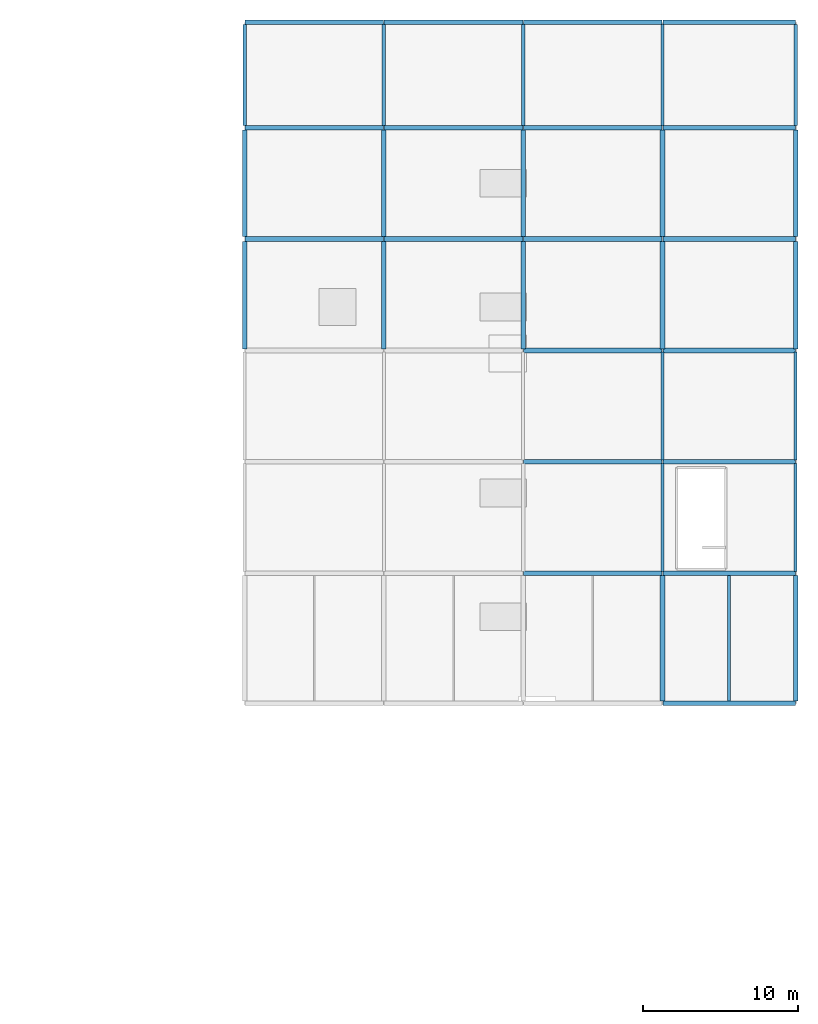
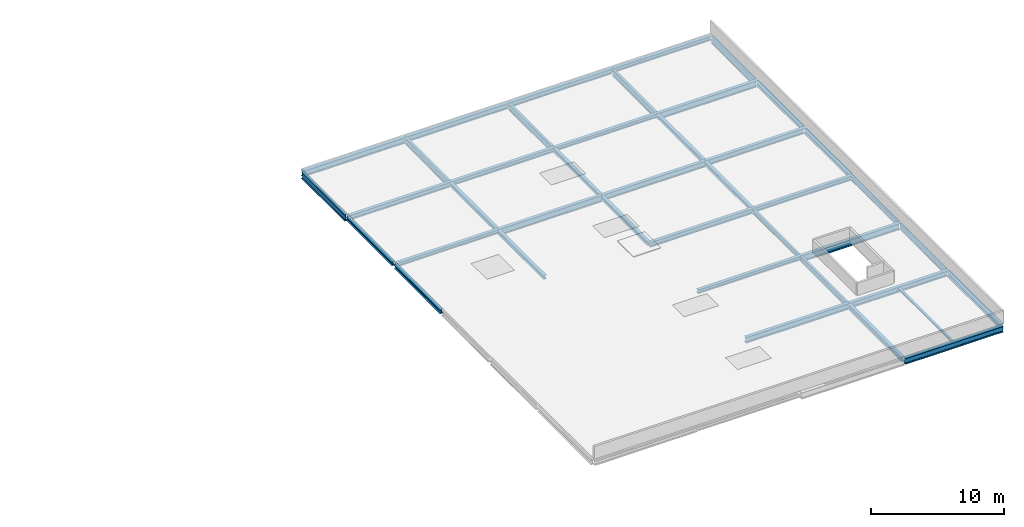
# One storey, part 6 of 17: 41 beams.
"""IFC4 building model written with IfcOpenShell, lengths in metres."""

from ifc_helpers import new_model, si_unit, direction, frame, origin, origin_2d, place, context, subcontext, project, spatial, i_section, extrude, material, material_profile, profile_set, type_object, element, save


model = new_model("IFC4")

# Units and contexts
model_context = context("Model", 3, precision=1e-05, world=origin(), true_north=direction((0.0, 1.0)))
body_context = subcontext(model_context, "Body", "Model", "MODEL_VIEW")
ifc_project = project(units=[si_unit("LENGTHUNIT", "METRE"), si_unit("AREAUNIT", "SQUARE_METRE"), si_unit("VOLUMEUNIT", "CUBIC_METRE"), si_unit("PLANEANGLEUNIT", "RADIAN"), si_unit("MASSUNIT", "GRAM", prefix="KILO")], contexts=[model_context])

# Site, building, storey
site_placement = place(None, origin())
site = spatial("IfcSite", under=ifc_project, at=site_placement, CompositionType="ELEMENT")
building_placement = place(site_placement, origin())
building = spatial("IfcBuilding", under=site, at=building_placement, Name="Vinh Khe Railworks Police Headquarters", CompositionType="ELEMENT")
storey_placement = place(building_placement, frame((0.0, 0.0, 24.89990234375)))
storey = spatial("IfcBuildingStorey", under=building, at=storey_placement, Name="L06", CompositionType="ELEMENT", Elevation=24.89990234375)

# Beams
ifc_material = material(Name="Steel S355JR", Category="steel")
ifc_material_profile_1 = material_profile(ifc_material, i_section(OverallWidth=0.179931640625, OverallDepth=0.1708984375, WebThickness=0.006103515625, FlangeThickness=0.009521484375, FilletRadius=0.014892578125, at=origin_2d()), Name="HEA 180")
ifc_profile_set_1 = profile_set([ifc_material_profile_1], Name="Steel S355JR")
beam_type_1 = type_object("IfcBeamType", Name="Secondary Joist HEA 180", PredefinedType="JOIST", material=ifc_profile_set_1)
beam_1_placement = place(storey_placement, frame((109.300048828125, 122.550048828125, -0.285400390625), z_axis=(0.0, 1.0, 0.0), x_axis=(-1.0, 0.0, 0.0)))
element("IfcBeam", 1, at=beam_1_placement, inside=storey, type_object=beam_type_1, Name="Secondary Joist JST-L06-SJ-10-0048", PredefinedType="JOIST", context=body_context, shape_type="SweptSolid", body=[
    extrude(i_section(OverallWidth=0.179931640625, OverallDepth=0.1708984375, WebThickness=0.006103515625, FlangeThickness=0.009521484375, FilletRadius=0.014892578125, at=origin_2d()), origin(), (0.0, 0.0, 1.0), 8.099853515625),
])
ifc_material_profile_2 = material_profile(ifc_material, i_section(OverallWidth=0.300048828125, OverallDepth=0.330078125, WebThickness=0.009521484375, FlangeThickness=0.0166015625, FilletRadius=0.027099609375, at=origin_2d()), Name="HEA 340")
ifc_profile_set_2 = profile_set([ifc_material_profile_2], Name="Steel S355JR")
beam_type_2 = type_object("IfcBeamType", Name="Steel Girder HEA 340", PredefinedType="BEAM", material=ifc_profile_set_2)
for number, where, z_axis, x_axis, name in (
    (2, (78.0, 152.554931640625, -0.364990234375), (0.0, 1.0, 0.0), (-1.0, 0.0, 0.0), "Girder BM-L06-NS-SB-16-1814"),
    (3, (87.0, 152.554931640625, -0.364990234375), (0.0, 1.0, 0.0), (-1.0, 0.0, 0.0), "Girder BM-L06-NS-SB-16-1820"),
    (4, (96.0, 152.554931640625, -0.364990234375), (0.0, 1.0, 0.0), (-1.0, 0.0, 0.0), "Girder BM-L06-NS-SB-16-1826"),
    (5, (105.0, 152.554931640625, -0.364990234375), (0.0, 1.0, 0.0), (-1.0, 0.0, 0.0), "Girder BM-L06-NS-SB-16-1832"),
    (6, (113.60009765625, 152.554931640625, -0.364990234375), (0.0, 1.0, 0.0), (-1.0, 0.0, 0.0), "Girder BM-L06-NS-SB-16-1838"),
):
    element("IfcBeam", number, at=place(storey_placement, frame(where, z_axis=z_axis, x_axis=x_axis)), inside=storey, type_object=beam_type_2, Name=name, PredefinedType="BEAM", context=body_context, shape_type="SweptSolid", body=[
        extrude(i_section(OverallWidth=0.300048828125, OverallDepth=0.330078125, WebThickness=0.009521484375, FlangeThickness=0.0166015625, FilletRadius=0.027099609375, at=origin_2d()), origin(), (0.0, 0.0, 1.0), 6.900146484375),
    ])
ifc_material_profile_3 = material_profile(ifc_material, i_section(OverallWidth=0.300048828125, OverallDepth=0.35009765625, WebThickness=0.010009765625, FlangeThickness=0.017578125, FilletRadius=0.027099609375, at=origin_2d()), Name="HEA 360")
ifc_profile_set_3 = profile_set([ifc_material_profile_3], Name="Steel S355JR")
beam_type_3 = type_object("IfcBeamType", Name="Steel Girder HEA 360", PredefinedType="BEAM", material=ifc_profile_set_3)
for number, where, z_axis, x_axis, name in (
    (7, (96.02001953125, 138.0, -0.375), (1.0, 0.0, 0.0), (0.0, 1.0, 0.0), "Girder BM-L06-EW-SB-15-1728"),
    (8, (78.02001953125, 152.39990234375, -0.375), (1.0, 0.0, 0.0), (0.0, 1.0, 0.0), "Girder BM-L06-EW-SB-15-1734"),
    (9, (96.02001953125, 159.60009765625, -0.375), (1.0, 0.0, 0.0), (0.0, 1.0, 0.0), "Girder BM-L06-EW-SB-15-1740"),
):
    element("IfcBeam", number, at=place(storey_placement, frame(where, z_axis=z_axis, x_axis=x_axis)), inside=storey, type_object=beam_type_3, Name=name, PredefinedType="BEAM", context=body_context, shape_type="SweptSolid", body=[
        extrude(i_section(OverallWidth=0.300048828125, OverallDepth=0.35009765625, WebThickness=0.010009765625, FlangeThickness=0.017578125, FilletRadius=0.027099609375, at=origin_2d()), origin(), (0.0, 0.0, 1.0), 8.9599609375),
    ])
for number, where, z_axis, x_axis, name in (
    (10, (78.0, 145.294921875, -0.375), (0.0, 1.0, 0.0), (-1.0, 0.0, 0.0), "Girder BM-L06-NS-SB-15-1813"),
    (11, (87.0, 145.294921875, -0.375), (0.0, 1.0, 0.0), (-1.0, 0.0, 0.0), "Girder BM-L06-NS-SB-15-1819"),
    (12, (96.0, 145.294921875, -0.375), (0.0, 1.0, 0.0), (-1.0, 0.0, 0.0), "Girder BM-L06-NS-SB-15-1825"),
    (13, (105.0, 145.294921875, -0.375), (0.0, 1.0, 0.0), (-1.0, 0.0, 0.0), "Girder BM-L06-NS-SB-15-1831"),
    (14, (113.60009765625, 145.294921875, -0.375), (0.0, 1.0, 0.0), (-1.0, 0.0, 0.0), "Girder BM-L06-NS-SB-15-1837"),
):
    element("IfcBeam", number, at=place(storey_placement, frame(where, z_axis=z_axis, x_axis=x_axis)), inside=storey, type_object=beam_type_3, Name=name, PredefinedType="BEAM", context=body_context, shape_type="SweptSolid", body=[
        extrude(i_section(OverallWidth=0.300048828125, OverallDepth=0.35009765625, WebThickness=0.010009765625, FlangeThickness=0.017578125, FilletRadius=0.027099609375, at=origin_2d()), origin(), (0.0, 0.0, 1.0), 6.9501953125),
    ])
ifc_material_profile_4 = material_profile(ifc_material, i_section(OverallWidth=0.300048828125, OverallDepth=0.389892578125, WebThickness=0.010986328125, FlangeThickness=0.01904296875, FilletRadius=0.027099609375, at=origin_2d()), Name="HEA 400")
ifc_profile_set_4 = profile_set([ifc_material_profile_4], Name="Steel S355JR")
beam_type_4 = type_object("IfcBeamType", Name="Steel Girder HEA 400", PredefinedType="BEAM", material=ifc_profile_set_4)
beam_2_placement = place(storey_placement, frame((105.02001953125, 145.199951171875, -0.39501953125), z_axis=(1.0, 0.0, 0.0), x_axis=(0.0, 1.0, 0.0)))
element("IfcBeam", 15, at=beam_2_placement, inside=storey, type_object=beam_type_4, Name="Girder BM-L06-EW-SB-14-1733", PredefinedType="BEAM", context=body_context, shape_type="SweptSolid", body=[
    extrude(i_section(OverallWidth=0.300048828125, OverallDepth=0.389892578125, WebThickness=0.010986328125, FlangeThickness=0.01904296875, FilletRadius=0.027099609375, at=origin_2d()), origin(), (0.0, 0.0, 1.0), 8.56005859375),
])
beam_3_placement = place(storey_placement, frame((87.02001953125, 159.60009765625, -0.39501953125), z_axis=(1.0, 0.0, 0.0), x_axis=(0.0, 1.0, 0.0)))
element("IfcBeam", 16, at=beam_3_placement, inside=storey, type_object=beam_type_4, Name="Girder BM-L06-EW-SB-14-1739", PredefinedType="BEAM", context=body_context, shape_type="SweptSolid", body=[
    extrude(i_section(OverallWidth=0.300048828125, OverallDepth=0.389892578125, WebThickness=0.010986328125, FlangeThickness=0.01904296875, FilletRadius=0.027099609375, at=origin_2d()), origin(), (0.0, 0.0, 1.0), 8.9599609375),
])
beam_4_placement = place(storey_placement, frame((105.02001953125, 166.39990234375, -0.39501953125), z_axis=(1.0, 0.0, 0.0), x_axis=(0.0, 1.0, 0.0)))
element("IfcBeam", 17, at=beam_4_placement, inside=storey, type_object=beam_type_4, Name="Girder BM-L06-EW-SB-14-1745", PredefinedType="BEAM", context=body_context, shape_type="SweptSolid", body=[
    extrude(i_section(OverallWidth=0.300048828125, OverallDepth=0.389892578125, WebThickness=0.010986328125, FlangeThickness=0.01904296875, FilletRadius=0.027099609375, at=origin_2d()), origin(), (0.0, 0.0, 1.0), 8.56005859375),
])
ifc_material_profile_5 = material_profile(ifc_material, i_section(OverallWidth=0.300048828125, OverallDepth=0.43994140625, WebThickness=0.011474609375, FlangeThickness=0.02099609375, FilletRadius=0.027099609375, at=origin_2d()), Name="HEA 450")
ifc_profile_set_5 = profile_set([ifc_material_profile_5], Name="Steel S355JR")
beam_type_5 = type_object("IfcBeamType", Name="Steel Girder HEA 450", PredefinedType="BEAM", material=ifc_profile_set_5)
for number, where, z_axis, x_axis, name in (
    (18, (96.02001953125, 145.199951171875, -0.419921875), (1.0, 0.0, 0.0), (0.0, 1.0, 0.0), "Girder BM-L06-EW-SB-13-1732"),
    (19, (78.02001953125, 159.60009765625, -0.419921875), (1.0, 0.0, 0.0), (0.0, 1.0, 0.0), "Girder BM-L06-EW-SB-13-1738"),
    (20, (96.02001953125, 166.39990234375, -0.419921875), (1.0, 0.0, 0.0), (0.0, 1.0, 0.0), "Girder BM-L06-EW-SB-13-1744"),
):
    element("IfcBeam", number, at=place(storey_placement, frame(where, z_axis=z_axis, x_axis=x_axis)), inside=storey, type_object=beam_type_5, Name=name, PredefinedType="BEAM", context=body_context, shape_type="SweptSolid", body=[
        extrude(i_section(OverallWidth=0.300048828125, OverallDepth=0.43994140625, WebThickness=0.011474609375, FlangeThickness=0.02099609375, FilletRadius=0.027099609375, at=origin_2d()), origin(), (0.0, 0.0, 1.0), 8.9599609375),
    ])
for number, where, z_axis, x_axis, name in (
    (21, (105.0, 122.544921875, -0.419921875), (0.0, 1.0, 0.0), (-1.0, 0.0, 0.0), "Girder BM-L06-NS-SB-13-1828"),
    (22, (113.60009765625, 122.544921875, -0.419921875), (0.0, 1.0, 0.0), (-1.0, 0.0, 0.0), "Girder BM-L06-NS-SB-13-1834"),
):
    element("IfcBeam", number, at=place(storey_placement, frame(where, z_axis=z_axis, x_axis=x_axis)), inside=storey, type_object=beam_type_5, Name=name, PredefinedType="BEAM", context=body_context, shape_type="SweptSolid", body=[
        extrude(i_section(OverallWidth=0.300048828125, OverallDepth=0.43994140625, WebThickness=0.011474609375, FlangeThickness=0.02099609375, FilletRadius=0.027099609375, at=origin_2d()), origin(), (0.0, 0.0, 1.0), 8.130126953125),
    ])
ifc_material_profile_6 = material_profile(ifc_material, i_section(OverallWidth=0.300048828125, OverallDepth=0.489990234375, WebThickness=0.011962890625, FlangeThickness=0.02294921875, FilletRadius=0.027099609375, at=origin_2d()), Name="HEA 500")
ifc_profile_set_6 = profile_set([ifc_material_profile_6], Name="Steel S355JR")
beam_type_6 = type_object("IfcBeamType", Name="Steel Girder HEA 500", PredefinedType="BEAM", material=ifc_profile_set_6)
for number, where, z_axis, x_axis, name in (
    (23, (105.02001953125, 130.800048828125, -0.44482421875), (1.0, 0.0, 0.0), (0.0, 1.0, 0.0), "Girder BM-L06-EW-SB-12-1725"),
    (24, (105.02001953125, 152.39990234375, -0.44482421875), (1.0, 0.0, 0.0), (0.0, 1.0, 0.0), "Girder BM-L06-EW-SB-12-1737"),
):
    element("IfcBeam", number, at=place(storey_placement, frame(where, z_axis=z_axis, x_axis=x_axis)), inside=storey, type_object=beam_type_6, Name=name, PredefinedType="BEAM", context=body_context, shape_type="SweptSolid", body=[
        extrude(i_section(OverallWidth=0.300048828125, OverallDepth=0.489990234375, WebThickness=0.011962890625, FlangeThickness=0.02294921875, FilletRadius=0.027099609375, at=origin_2d()), origin(), (0.0, 0.0, 1.0), 8.56005859375),
    ])
beam_5_placement = place(storey_placement, frame((87.02001953125, 166.39990234375, -0.44482421875), z_axis=(1.0, 0.0, 0.0), x_axis=(0.0, 1.0, 0.0)))
element("IfcBeam", 25, at=beam_5_placement, inside=storey, type_object=beam_type_6, Name="Girder BM-L06-EW-SB-12-1743", PredefinedType="BEAM", context=body_context, shape_type="SweptSolid", body=[
    extrude(i_section(OverallWidth=0.300048828125, OverallDepth=0.489990234375, WebThickness=0.011962890625, FlangeThickness=0.02294921875, FilletRadius=0.027099609375, at=origin_2d()), origin(), (0.0, 0.0, 1.0), 8.9599609375),
])
ifc_material_profile_7 = material_profile(ifc_material, i_section(OverallWidth=0.300048828125, OverallDepth=0.5400390625, WebThickness=0.012451171875, FlangeThickness=0.02392578125, FilletRadius=0.027099609375, at=origin_2d()), Name="HEA 550")
ifc_profile_set_7 = profile_set([ifc_material_profile_7], Name="Steel S355JR")
beam_type_7 = type_object("IfcBeamType", Name="Steel Girder HEA 550", PredefinedType="BEAM", material=ifc_profile_set_7)
beam_6_placement = place(storey_placement, frame((105.02001953125, 122.39990234375, -0.469970703125), z_axis=(1.0, 0.0, 0.0), x_axis=(0.0, 1.0, 0.0)))
element("IfcBeam", 26, at=beam_6_placement, inside=storey, type_object=beam_type_7, Name="Girder BM-L06-EW-SB-11-1718", PredefinedType="BEAM", context=body_context, shape_type="SweptSolid", body=[
    extrude(i_section(OverallWidth=0.300048828125, OverallDepth=0.5400390625, WebThickness=0.012451171875, FlangeThickness=0.02392578125, FilletRadius=0.027099609375, at=origin_2d()), origin(), (0.0, 0.0, 1.0), 8.56005859375),
])
for number, where, z_axis, x_axis, name in (
    (27, (96.02001953125, 130.800048828125, -0.469970703125), (1.0, 0.0, 0.0), (0.0, 1.0, 0.0), "Girder BM-L06-EW-SB-11-1724"),
    (28, (96.02001953125, 152.39990234375, -0.469970703125), (1.0, 0.0, 0.0), (0.0, 1.0, 0.0), "Girder BM-L06-EW-SB-11-1736"),
    (29, (78.02001953125, 166.39990234375, -0.469970703125), (1.0, 0.0, 0.0), (0.0, 1.0, 0.0), "Girder BM-L06-EW-SB-11-1742"),
):
    element("IfcBeam", number, at=place(storey_placement, frame(where, z_axis=z_axis, x_axis=x_axis)), inside=storey, type_object=beam_type_7, Name=name, PredefinedType="BEAM", context=body_context, shape_type="SweptSolid", body=[
        extrude(i_section(OverallWidth=0.300048828125, OverallDepth=0.5400390625, WebThickness=0.012451171875, FlangeThickness=0.02392578125, FilletRadius=0.027099609375, at=origin_2d()), origin(), (0.0, 0.0, 1.0), 8.9599609375),
    ])
ifc_material_profile_8 = material_profile(ifc_material, i_section(OverallWidth=0.300048828125, OverallDepth=0.590087890625, WebThickness=0.012939453125, FlangeThickness=0.02490234375, FilletRadius=0.027099609375, at=origin_2d()), Name="HEA 600")
ifc_profile_set_8 = profile_set([ifc_material_profile_8], Name="Steel S355JR")
beam_type_8 = type_object("IfcBeamType", Name="Steel Girder HEA 600", PredefinedType="BEAM", material=ifc_profile_set_8)
beam_7_placement = place(storey_placement, frame((105.02001953125, 138.0, -0.494873046875), z_axis=(1.0, 0.0, 0.0), x_axis=(0.0, 1.0, 0.0)))
element("IfcBeam", 30, at=beam_7_placement, inside=storey, type_object=beam_type_8, Name="Girder BM-L06-EW-SB-10-1729", PredefinedType="BEAM", context=body_context, shape_type="SweptSolid", body=[
    extrude(i_section(OverallWidth=0.300048828125, OverallDepth=0.590087890625, WebThickness=0.012939453125, FlangeThickness=0.02490234375, FilletRadius=0.027099609375, at=origin_2d()), origin(), (0.0, 0.0, 1.0), 8.56005859375),
])
beam_8_placement = place(storey_placement, frame((87.02001953125, 152.39990234375, -0.494873046875), z_axis=(1.0, 0.0, 0.0), x_axis=(0.0, 1.0, 0.0)))
element("IfcBeam", 31, at=beam_8_placement, inside=storey, type_object=beam_type_8, Name="Girder BM-L06-EW-SB-10-1735", PredefinedType="BEAM", context=body_context, shape_type="SweptSolid", body=[
    extrude(i_section(OverallWidth=0.300048828125, OverallDepth=0.590087890625, WebThickness=0.012939453125, FlangeThickness=0.02490234375, FilletRadius=0.027099609375, at=origin_2d()), origin(), (0.0, 0.0, 1.0), 8.9599609375),
])
beam_9_placement = place(storey_placement, frame((105.02001953125, 159.60009765625, -0.494873046875), z_axis=(1.0, 0.0, 0.0), x_axis=(0.0, 1.0, 0.0)))
element("IfcBeam", 32, at=beam_9_placement, inside=storey, type_object=beam_type_8, Name="Girder BM-L06-EW-SB-10-1741", PredefinedType="BEAM", context=body_context, shape_type="SweptSolid", body=[
    extrude(i_section(OverallWidth=0.300048828125, OverallDepth=0.590087890625, WebThickness=0.012939453125, FlangeThickness=0.02490234375, FilletRadius=0.027099609375, at=origin_2d()), origin(), (0.0, 0.0, 1.0), 8.56005859375),
])
ifc_material_profile_9 = material_profile(ifc_material, i_section(OverallWidth=0.18994140625, OverallDepth=0.449951171875, WebThickness=0.009521484375, FlangeThickness=0.0146484375, FilletRadius=0.02099609375, at=origin_2d()), Name="IPE 450")
ifc_profile_set_9 = profile_set([ifc_material_profile_9], Name="Steel S355JR")
beam_type_9 = type_object("IfcBeamType", Name="Steel Girder IPE 450", PredefinedType="BEAM", material=ifc_profile_set_9)
for number, where, z_axis, x_axis, name in (
    (33, (105.0, 138.114990234375, -0.4248046875), (0.0, 1.0, 0.0), (-1.0, 0.0, 0.0), "Girder BM-L06-NS-SB-20-1830"),
    (34, (113.60009765625, 138.114990234375, -0.4248046875), (0.0, 1.0, 0.0), (-1.0, 0.0, 0.0), "Girder BM-L06-NS-SB-20-1836"),
):
    element("IfcBeam", number, at=place(storey_placement, frame(where, z_axis=z_axis, x_axis=x_axis)), inside=storey, type_object=beam_type_9, Name=name, PredefinedType="BEAM", context=body_context, shape_type="SweptSolid", body=[
        extrude(i_section(OverallWidth=0.18994140625, OverallDepth=0.449951171875, WebThickness=0.009521484375, FlangeThickness=0.0146484375, FilletRadius=0.02099609375, at=origin_2d()), origin(), (0.0, 0.0, 1.0), 6.989990234375),
    ])
ifc_material_profile_10 = material_profile(ifc_material, i_section(OverallWidth=0.199951171875, OverallDepth=0.5, WebThickness=0.01025390625, FlangeThickness=0.01611328125, FilletRadius=0.02099609375, at=origin_2d()), Name="IPE 500")
ifc_profile_set_10 = profile_set([ifc_material_profile_10], Name="Steel S355JR")
beam_type_10 = type_object("IfcBeamType", Name="Steel Girder IPE 500", PredefinedType="BEAM", material=ifc_profile_set_10)
for number, where, z_axis, x_axis, name in (
    (35, (105.0, 130.925048828125, -0.449951171875), (0.0, 1.0, 0.0), (-1.0, 0.0, 0.0), "Girder BM-L06-NS-SB-19-1829"),
    (36, (113.60009765625, 130.925048828125, -0.449951171875), (0.0, 1.0, 0.0), (-1.0, 0.0, 0.0), "Girder BM-L06-NS-SB-19-1835"),
):
    element("IfcBeam", number, at=place(storey_placement, frame(where, z_axis=z_axis, x_axis=x_axis)), inside=storey, type_object=beam_type_10, Name=name, PredefinedType="BEAM", context=body_context, shape_type="SweptSolid", body=[
        extrude(i_section(OverallWidth=0.199951171875, OverallDepth=0.5, WebThickness=0.01025390625, FlangeThickness=0.01611328125, FilletRadius=0.02099609375, at=origin_2d()), origin(), (0.0, 0.0, 1.0), 6.9599609375),
    ])
ifc_material_profile_11 = material_profile(ifc_material, i_section(OverallWidth=0.219970703125, OverallDepth=0.60009765625, WebThickness=0.011962890625, FlangeThickness=0.01904296875, FilletRadius=0.02392578125, at=origin_2d()), Name="IPE 600")
ifc_profile_set_11 = profile_set([ifc_material_profile_11], Name="Steel S355JR")
beam_type_11 = type_object("IfcBeamType", Name="Steel Girder IPE 600", PredefinedType="BEAM", material=ifc_profile_set_11)
for number, where, z_axis, x_axis, name in (
    (37, (78.0, 159.7451171875, -0.5), (0.0, 1.0, 0.0), (-1.0, 0.0, 0.0), "Girder BM-L06-NS-SB-17-1815"),
    (38, (87.0, 159.7451171875, -0.5), (0.0, 1.0, 0.0), (-1.0, 0.0, 0.0), "Girder BM-L06-NS-SB-17-1821"),
    (39, (96.0, 159.7451171875, -0.5), (0.0, 1.0, 0.0), (-1.0, 0.0, 0.0), "Girder BM-L06-NS-SB-17-1827"),
    (40, (105.0, 159.7451171875, -0.5), (0.0, 1.0, 0.0), (-1.0, 0.0, 0.0), "Girder BM-L06-NS-SB-17-1833"),
    (41, (113.60009765625, 159.7451171875, -0.5), (0.0, 1.0, 0.0), (-1.0, 0.0, 0.0), "Girder BM-L06-NS-SB-17-1839"),
):
    element("IfcBeam", number, at=place(storey_placement, frame(where, z_axis=z_axis, x_axis=x_axis)), inside=storey, type_object=beam_type_11, Name=name, PredefinedType="BEAM", context=body_context, shape_type="SweptSolid", body=[
        extrude(i_section(OverallWidth=0.219970703125, OverallDepth=0.60009765625, WebThickness=0.011962890625, FlangeThickness=0.01904296875, FilletRadius=0.02392578125, at=origin_2d()), origin(), (0.0, 0.0, 1.0), 6.52978515625),
    ])

save(model, "model.ifc")
